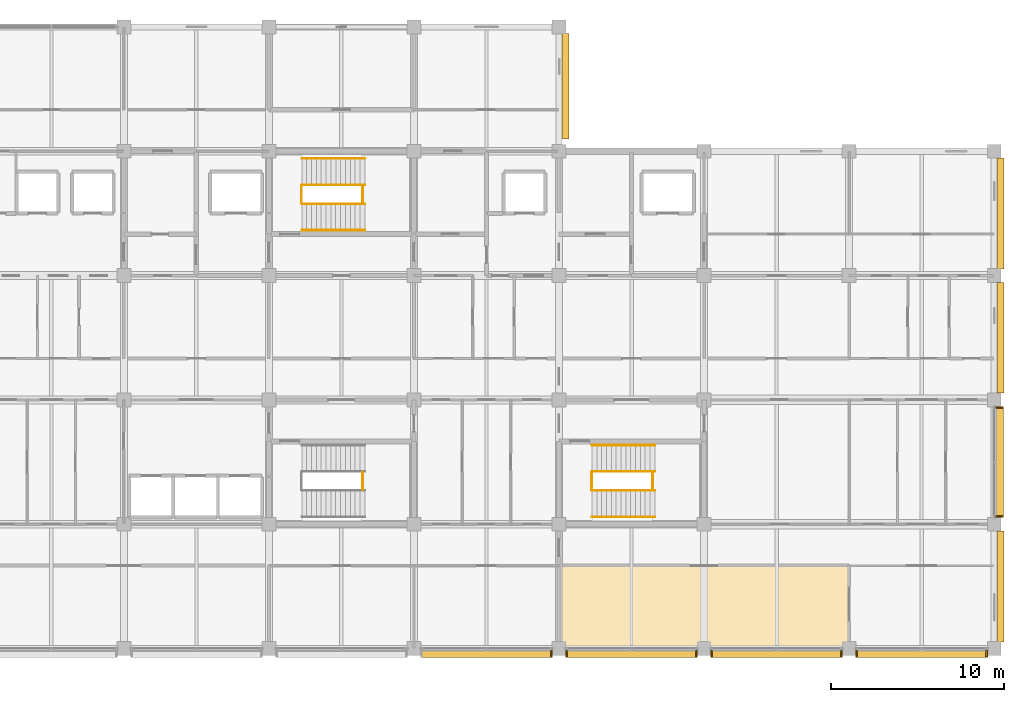
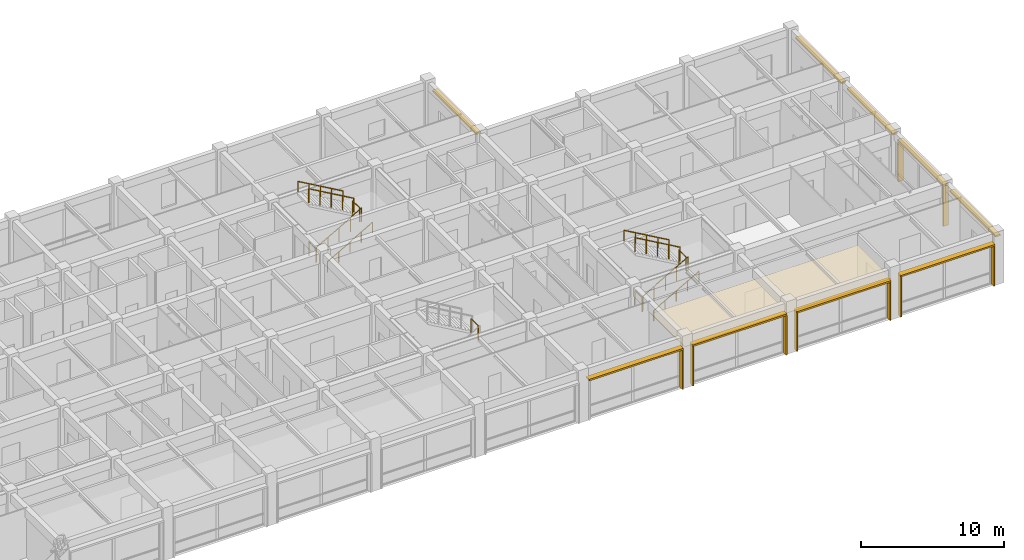
# One storey, part 30 of 30: 18 shading devices, 13 railings, 1 covering.
"""IFC4 building model written with IfcOpenShell, lengths in metres."""

from ifc_helpers import new_model, si_unit, direction, frame, origin, origin_2d, place, context, subcontext, project, spatial, polyline, rectangle, circle, outline, extrude, material, layer, layer_set, type_object, element, save


model = new_model("IFC4")

# Units and contexts
model_context = context("Model", 3, precision=1e-05, world=origin(), true_north=direction((0.0, 1.0)))
body_context = subcontext(model_context, "Body", "Model", "MODEL_VIEW")
ifc_project = project(units=[si_unit("LENGTHUNIT", "METRE"), si_unit("AREAUNIT", "SQUARE_METRE"), si_unit("VOLUMEUNIT", "CUBIC_METRE"), si_unit("PLANEANGLEUNIT", "RADIAN"), si_unit("MASSUNIT", "GRAM", prefix="KILO")], contexts=[model_context])

# Site, building, storey
site_placement = place(None, origin())
site = spatial("IfcSite", under=ifc_project, at=site_placement, CompositionType="ELEMENT")
building_placement = place(site_placement, origin())
building = spatial("IfcBuilding", under=site, at=building_placement, Name="Chengyuan Square Courthouse", CompositionType="ELEMENT")
storey_placement = place(building_placement, frame((0.0, 0.0, 30.60009765625)))
storey = spatial("IfcBuildingStorey", under=building, at=storey_placement, Name="L07", CompositionType="ELEMENT", Elevation=30.60009765625)

# Covering
ifc_material_1 = material(Name="Perforated Larch Glulam Acoustic Slat Ceiling", Category="wood")
ifc_layer = layer(ifc_material_1, 0.044921875)
ifc_layer_set = layer_set([ifc_layer], Name="Perforated Larch Glulam Acoustic Slat Ceiling")
covering_type = type_object("IfcCoveringType", Name="CLG-01", PredefinedType="CEILING", material=ifc_layer_set)
covering_placement = place(storey_placement, frame((0.0, 0.0, 3.139892578125)))
element("IfcCovering", 1, at=covering_placement, inside=storey, type_object=covering_type, Name="Acoustic Timber Slat Ceiling CLG-L07-CRT-M2", PredefinedType="CEILING", context=body_context, shape_type="SweptSolid", body=[
    extrude(outline(polyline([(117.64990234375, 79.25), (134.35009765625, 79.25), (134.35009765625, 83.949951171875), (117.64990234375, 83.949951171875), (117.64990234375, 79.25)])), origin(), (0.0, 0.0, 1.0), 0.044921875),
])

# Railings
ifc_material_2 = material(Name="Tempered Glass and Timber Top-Rail Balustrade", Category="wood")
railing_type_1 = type_object("IfcRailingType", Name="RL-02", PredefinedType="BALUSTRADE", material=ifc_material_2)
for number, where, name in (
    (2, (102.68994140625, 105.0, 0.0), "Stair Floor Slot Guard ST-2 L07"),
    (3, (106.22998046875, 105.0, 2.25), "Stair Landing Guard ST-2-L07"),
):
    element("IfcRailing", number, at=place(storey_placement, frame(where)), inside=storey, type_object=railing_type_1, Name=name, PredefinedType="BALUSTRADE", context=body_context, shape_type="SweptSolid", body=[
        extrude(circle(Radius=0.02392578125, at=origin_2d()), frame((0.0, 0.0, 1.17578125), z_axis=(0.0, 1.0, 0.0), x_axis=(-1.0, 0.0, 0.0)), (0.0, 0.0, 1.0), 1.0),
        extrude(circle(Radius=0.02099609375, at=origin_2d()), origin(), (0.0, 0.0, 1.0), 1.15185546875),
        extrude(circle(Radius=0.02099609375, at=origin_2d()), frame((0.0, 1.0, 0.0)), (0.0, 0.0, 1.0), 1.15185546875),
    ])
railing_1_placement = place(storey_placement, frame((102.7099609375, 104.949951171875, 0.16064453125)))
element("IfcRailing", 4, at=railing_1_placement, inside=storey, type_object=railing_type_1, Name="Stair Flight 1 Guard ST-2-L07", PredefinedType="BALUSTRADE", context=body_context, shape_type="SweptSolid", body=[
    extrude(circle(Radius=0.02392578125, at=origin_2d()), frame((0.0, 0.0, 1.17578125), z_axis=(0.867289372828, 0.0, 0.497804322781), x_axis=(0.0, 1.0, 0.0)), (0.0, 0.0, 1.0), 4.197021484375),
    extrude(circle(Radius=0.02099609375, at=origin_2d()), origin(), (0.0, 0.0, 1.0), 1.15185546875),
    extrude(circle(Radius=0.02099609375, at=origin_2d()), frame((0.91015625, 0.0, 0.5224609375)), (0.0, 0.0, 1.0), 1.15185546875),
    extrude(circle(Radius=0.02099609375, at=origin_2d()), frame((1.820068359375, 0.0, 1.044677734375)), (0.0, 0.0, 1.0), 1.15185546875),
    extrude(circle(Radius=0.02099609375, at=origin_2d()), frame((2.72998046875, 0.0, 1.56689453125)), (0.0, 0.0, 1.0), 1.15185546875),
    extrude(circle(Radius=0.02099609375, at=origin_2d()), frame((3.64013671875, 0.0, 2.08935546875)), (0.0, 0.0, 1.0), 1.15185546875),
])
railing_2_placement = place(storey_placement, frame((106.35009765625, 106.050048828125, 2.41064453125)))
element("IfcRailing", 5, at=railing_2_placement, inside=storey, type_object=railing_type_1, Name="Stair Flight 2 Guard ST-2-L07", PredefinedType="BALUSTRADE", context=body_context, shape_type="SweptSolid", body=[
    extrude(circle(Radius=0.02392578125, at=origin_2d()), frame((0.0, 0.0, 1.17578125), z_axis=(-0.867289372828, 0.0, 0.497804322781), x_axis=(0.0, -1.0, 0.0)), (0.0, 0.0, 1.0), 4.197021484375),
    extrude(circle(Radius=0.02099609375, at=origin_2d()), origin(), (0.0, 0.0, 1.0), 1.15185546875),
    extrude(circle(Radius=0.02099609375, at=origin_2d()), frame((-0.91015625, 0.0, 0.5224609375)), (0.0, 0.0, 1.0), 1.15185546875),
    extrude(circle(Radius=0.02099609375, at=origin_2d()), frame((-1.820068359375, 0.0, 1.044677734375)), (0.0, 0.0, 1.0), 1.15185546875),
    extrude(circle(Radius=0.02099609375, at=origin_2d()), frame((-2.72998046875, 0.0, 1.56689453125)), (0.0, 0.0, 1.0), 1.15185546875),
    extrude(circle(Radius=0.02099609375, at=origin_2d()), frame((-3.64013671875, 0.0, 2.08935546875)), (0.0, 0.0, 1.0), 1.15185546875),
])
for number, where, name in (
    (6, (106.22998046875, 88.39990234375, 2.25), "Stair Landing Guard ST-4-L07"),
    (7, (119.489990234375, 88.39990234375, 0.0), "Stair Floor Slot Guard ST-6 L07"),
    (8, (123.030029296875, 88.39990234375, 2.25), "Stair Landing Guard ST-6-L07"),
):
    element("IfcRailing", number, at=place(storey_placement, frame(where)), inside=storey, type_object=railing_type_1, Name=name, PredefinedType="BALUSTRADE", context=body_context, shape_type="SweptSolid", body=[
        extrude(circle(Radius=0.02392578125, at=origin_2d()), frame((0.0, 0.0, 1.17578125), z_axis=(0.0, 1.0, 0.0), x_axis=(-1.0, 0.0, 0.0)), (0.0, 0.0, 1.0), 1.0),
        extrude(circle(Radius=0.02099609375, at=origin_2d()), origin(), (0.0, 0.0, 1.0), 1.15185546875),
        extrude(circle(Radius=0.02099609375, at=origin_2d()), frame((0.0, 1.0, 0.0)), (0.0, 0.0, 1.0), 1.15185546875),
    ])
railing_3_placement = place(storey_placement, frame((119.510009765625, 88.35009765625, 0.16064453125)))
element("IfcRailing", 9, at=railing_3_placement, inside=storey, type_object=railing_type_1, Name="Stair Flight 1 Guard ST-6-L07", PredefinedType="BALUSTRADE", context=body_context, shape_type="SweptSolid", body=[
    extrude(circle(Radius=0.02392578125, at=origin_2d()), frame((0.0, 0.0, 1.17578125), z_axis=(0.8672749571, 0.0, 0.497829437445), x_axis=(0.0, 1.0, 0.0)), (0.0, 0.0, 1.0), 4.197021484375),
    extrude(circle(Radius=0.02099609375, at=origin_2d()), origin(), (0.0, 0.0, 1.0), 1.15185546875),
    extrude(circle(Radius=0.02099609375, at=origin_2d()), frame((0.909912109375, 0.0, 0.5224609375)), (0.0, 0.0, 1.0), 1.15185546875),
    extrude(circle(Radius=0.02099609375, at=origin_2d()), frame((1.81982421875, 0.0, 1.044677734375)), (0.0, 0.0, 1.0), 1.15185546875),
    extrude(circle(Radius=0.02099609375, at=origin_2d()), frame((2.72998046875, 0.0, 1.56689453125)), (0.0, 0.0, 1.0), 1.15185546875),
    extrude(circle(Radius=0.02099609375, at=origin_2d()), frame((3.639892578125, 0.0, 2.08935546875)), (0.0, 0.0, 1.0), 1.15185546875),
])
railing_4_placement = place(storey_placement, frame((123.14990234375, 89.449951171875, 2.41064453125)))
element("IfcRailing", 10, at=railing_4_placement, inside=storey, type_object=railing_type_1, Name="Stair Flight 2 Guard ST-6-L07", PredefinedType="BALUSTRADE", context=body_context, shape_type="SweptSolid", body=[
    extrude(circle(Radius=0.02392578125, at=origin_2d()), frame((0.0, 0.0, 1.17578125), z_axis=(-0.8672749571, 0.0, 0.497829437445), x_axis=(0.0, -1.0, 0.0)), (0.0, 0.0, 1.0), 4.197021484375),
    extrude(circle(Radius=0.02099609375, at=origin_2d()), origin(), (0.0, 0.0, 1.0), 1.15185546875),
    extrude(circle(Radius=0.02099609375, at=origin_2d()), frame((-0.909912109375, 0.0, 0.5224609375)), (0.0, 0.0, 1.0), 1.15185546875),
    extrude(circle(Radius=0.02099609375, at=origin_2d()), frame((-1.81982421875, 0.0, 1.044677734375)), (0.0, 0.0, 1.0), 1.15185546875),
    extrude(circle(Radius=0.02099609375, at=origin_2d()), frame((-2.72998046875, 0.0, 1.56689453125)), (0.0, 0.0, 1.0), 1.15185546875),
    extrude(circle(Radius=0.02099609375, at=origin_2d()), frame((-3.639892578125, 0.0, 2.08935546875)), (0.0, 0.0, 1.0), 1.15185546875),
])
ifc_material_3 = material(Name="Stainless Steel S30408 Stair Handrail", Category="steel")
railing_type_2 = type_object("IfcRailingType", Name="RL-04", PredefinedType="HANDRAIL", material=ifc_material_3)
railing_5_placement = place(storey_placement, frame((102.7099609375, 103.419921875, 0.16064453125)))
element("IfcRailing", 11, at=railing_5_placement, inside=storey, type_object=railing_type_2, Name="Stair Flight 1 Handrail ST-2-L07", PredefinedType="HANDRAIL", context=body_context, shape_type="SweptSolid", body=[
    extrude(circle(Radius=0.02392578125, at=origin_2d()), frame((0.0, 0.0, 0.8759765625), z_axis=(0.867289372828, 0.0, 0.497804322781), x_axis=(0.0, 1.0, 0.0)), (0.0, 0.0, 1.0), 4.197021484375),
    extrude(circle(Radius=0.02099609375, at=origin_2d()), origin(), (0.0, 0.0, 1.0), 0.851806640625),
    extrude(circle(Radius=0.02099609375, at=origin_2d()), frame((0.91015625, 0.0, 0.5224609375)), (0.0, 0.0, 1.0), 0.851806640625),
    extrude(circle(Radius=0.02099609375, at=origin_2d()), frame((1.820068359375, 0.0, 1.044677734375)), (0.0, 0.0, 1.0), 0.851806640625),
    extrude(circle(Radius=0.02099609375, at=origin_2d()), frame((2.72998046875, 0.0, 1.56689453125)), (0.0, 0.0, 1.0), 0.851806640625),
    extrude(circle(Radius=0.02099609375, at=origin_2d()), frame((3.64013671875, 0.0, 2.08935546875)), (0.0, 0.0, 1.0), 0.851806640625),
])
railing_6_placement = place(storey_placement, frame((106.35009765625, 107.580078125, 2.41064453125)))
element("IfcRailing", 12, at=railing_6_placement, inside=storey, type_object=railing_type_2, Name="Stair Flight 2 Handrail ST-2-L07", PredefinedType="HANDRAIL", context=body_context, shape_type="SweptSolid", body=[
    extrude(circle(Radius=0.02392578125, at=origin_2d()), frame((0.0, 0.0, 0.8759765625), z_axis=(-0.867289372828, 0.0, 0.497804322781), x_axis=(0.0, -1.0, 0.0)), (0.0, 0.0, 1.0), 4.197021484375),
    extrude(circle(Radius=0.02099609375, at=origin_2d()), origin(), (0.0, 0.0, 1.0), 0.851806640625),
    extrude(circle(Radius=0.02099609375, at=origin_2d()), frame((-0.91015625, 0.0, 0.5224609375)), (0.0, 0.0, 1.0), 0.851806640625),
    extrude(circle(Radius=0.02099609375, at=origin_2d()), frame((-1.820068359375, 0.0, 1.044677734375)), (0.0, 0.0, 1.0), 0.851806640625),
    extrude(circle(Radius=0.02099609375, at=origin_2d()), frame((-2.72998046875, 0.0, 1.56689453125)), (0.0, 0.0, 1.0), 0.851806640625),
    extrude(circle(Radius=0.02099609375, at=origin_2d()), frame((-3.64013671875, 0.0, 2.08935546875)), (0.0, 0.0, 1.0), 0.851806640625),
])
railing_7_placement = place(storey_placement, frame((119.510009765625, 86.820068359375, 0.16064453125)))
element("IfcRailing", 13, at=railing_7_placement, inside=storey, type_object=railing_type_2, Name="Stair Flight 1 Handrail ST-6-L07", PredefinedType="HANDRAIL", context=body_context, shape_type="SweptSolid", body=[
    extrude(circle(Radius=0.02392578125, at=origin_2d()), frame((0.0, 0.0, 0.8759765625), z_axis=(0.8672749571, 0.0, 0.497829437445), x_axis=(0.0, 1.0, 0.0)), (0.0, 0.0, 1.0), 4.197021484375),
    extrude(circle(Radius=0.02099609375, at=origin_2d()), origin(), (0.0, 0.0, 1.0), 0.851806640625),
    extrude(circle(Radius=0.02099609375, at=origin_2d()), frame((0.909912109375, 0.0, 0.5224609375)), (0.0, 0.0, 1.0), 0.851806640625),
    extrude(circle(Radius=0.02099609375, at=origin_2d()), frame((1.81982421875, 0.0, 1.044677734375)), (0.0, 0.0, 1.0), 0.851806640625),
    extrude(circle(Radius=0.02099609375, at=origin_2d()), frame((2.72998046875, 0.0, 1.56689453125)), (0.0, 0.0, 1.0), 0.851806640625),
    extrude(circle(Radius=0.02099609375, at=origin_2d()), frame((3.639892578125, 0.0, 2.08935546875)), (0.0, 0.0, 1.0), 0.851806640625),
])
railing_8_placement = place(storey_placement, frame((123.14990234375, 90.97998046875, 2.41064453125)))
element("IfcRailing", 14, at=railing_8_placement, inside=storey, type_object=railing_type_2, Name="Stair Flight 2 Handrail ST-6-L07", PredefinedType="HANDRAIL", context=body_context, shape_type="SweptSolid", body=[
    extrude(circle(Radius=0.02392578125, at=origin_2d()), frame((0.0, 0.0, 0.8759765625), z_axis=(-0.8672749571, 0.0, 0.497829437445), x_axis=(0.0, -1.0, 0.0)), (0.0, 0.0, 1.0), 4.197021484375),
    extrude(circle(Radius=0.02099609375, at=origin_2d()), origin(), (0.0, 0.0, 1.0), 0.851806640625),
    extrude(circle(Radius=0.02099609375, at=origin_2d()), frame((-0.909912109375, 0.0, 0.5224609375)), (0.0, 0.0, 1.0), 0.851806640625),
    extrude(circle(Radius=0.02099609375, at=origin_2d()), frame((-1.81982421875, 0.0, 1.044677734375)), (0.0, 0.0, 1.0), 0.851806640625),
    extrude(circle(Radius=0.02099609375, at=origin_2d()), frame((-2.72998046875, 0.0, 1.56689453125)), (0.0, 0.0, 1.0), 0.851806640625),
    extrude(circle(Radius=0.02099609375, at=origin_2d()), frame((-3.639892578125, 0.0, 2.08935546875)), (0.0, 0.0, 1.0), 0.851806640625),
])

# Shading devices
ifc_material_4 = material(Name="Glulam TCt28 Solar Shading Fin", Category="wood")
shading_device_type_1 = type_object("IfcShadingDeviceType", Name="SHD-01", PredefinedType="JALOUSIE", material=ifc_material_4)
for number, where, z_axis, x_axis, name in (
    (15, (117.1650390625, 78.89794921875, 0.0400390625), (0.0, 0.0, 1.0), (0.0, 1.0, 0.0), "Glulam Solar Fin SHD-L07-0667"),
    (16, (118.034912109375, 78.89794921875, 0.0400390625), (0.0, 0.0, 1.0), (0.0, 1.0, 0.0), "Glulam Solar Fin SHD-L07-0670"),
    (17, (125.56494140625, 78.89794921875, 0.0400390625), (0.0, 0.0, 1.0), (0.0, 1.0, 0.0), "Glulam Solar Fin SHD-L07-0671"),
):
    element("IfcShadingDevice", number, at=place(storey_placement, frame(where, z_axis=z_axis, x_axis=x_axis)), inside=storey, type_object=shading_device_type_1, Name=name, PredefinedType="JALOUSIE", context=body_context, shape_type="SweptSolid", body=[
        extrude(rectangle(XDim=0.419921875, YDim=0.094970703125, at=origin_2d()), origin(), (0.0, 0.0, 1.0), 3.3798828125),
    ])
for number, where, z_axis, x_axis, name in (
    (18, (126.43505859375, 78.89794921875, 0.039794921875), (0.0, 0.0, 1.0), (0.0, 1.0, 0.0), "Glulam Solar Fin SHD-L07-0673"),
    (19, (133.965087890625, 78.89794921875, 0.039794921875), (0.0, 0.0, 1.0), (0.0, 1.0, 0.0), "Glulam Solar Fin SHD-L07-0674"),
):
    element("IfcShadingDevice", number, at=place(storey_placement, frame(where, z_axis=z_axis, x_axis=x_axis)), inside=storey, type_object=shading_device_type_1, Name=name, PredefinedType="JALOUSIE", context=body_context, shape_type="SweptSolid", body=[
        extrude(rectangle(XDim=0.419921875, YDim=0.094970703125, at=origin_2d()), origin(), (0.0, 0.0, 1.0), 3.2900390625),
    ])
for number, where, z_axis, x_axis, name in (
    (20, (134.8349609375, 78.89794921875, 0.0400390625), (0.0, 0.0, 1.0), (0.0, 1.0, 0.0), "Glulam Solar Fin SHD-L07-0676"),
    (21, (142.364990234375, 78.89794921875, 0.0400390625), (0.0, 0.0, 1.0), (0.0, 1.0, 0.0), "Glulam Solar Fin SHD-L07-0677"),
    (22, (143.112060546875, 86.840087890625, 0.0400390625), (0.0, 0.0, 1.0), (1.0, 0.0, 0.0), "Glulam Solar Fin SHD-L07-0680"),
    (23, (143.112060546875, 93.159912109375, 0.0400390625), (0.0, 0.0, 1.0), (1.0, 0.0, 0.0), "Glulam Solar Fin SHD-L07-0681"),
):
    element("IfcShadingDevice", number, at=place(storey_placement, frame(where, z_axis=z_axis, x_axis=x_axis)), inside=storey, type_object=shading_device_type_1, Name=name, PredefinedType="JALOUSIE", context=body_context, shape_type="SweptSolid", body=[
        extrude(rectangle(XDim=0.419921875, YDim=0.094970703125, at=origin_2d()), origin(), (0.0, 0.0, 1.0), 3.43994140625),
    ])
ifc_material_5 = material(Name="Glulam TCt28 Sunshade Louvre", Category="wood")
shading_device_type_2 = type_object("IfcShadingDeviceType", Name="SHD-02", PredefinedType="AWNING", material=ifc_material_5)
for number, where, z_axis, x_axis, name in (
    (24, (113.39990234375, 78.89794921875, 3.419921875), (0.0, 0.0, 1.0), (1.0, 0.0, 0.0), "Glulam Sunshade Louvre SHD-L07-0668"),
    (25, (121.800048828125, 78.89794921875, 3.419921875), (0.0, 0.0, 1.0), (1.0, 0.0, 0.0), "Glulam Sunshade Louvre SHD-L07-0672"),
    (26, (130.199951171875, 78.89794921875, 3.330078125), (0.0, 0.0, 1.0), (1.0, 0.0, 0.0), "Glulam Sunshade Louvre SHD-L07-0675"),
    (27, (138.60009765625, 78.89794921875, 3.47998046875), (0.0, 0.0, 1.0), (1.0, 0.0, 0.0), "Glulam Sunshade Louvre SHD-L07-0678"),
):
    element("IfcShadingDevice", number, at=place(storey_placement, frame(where, z_axis=z_axis, x_axis=x_axis)), inside=storey, type_object=shading_device_type_2, Name=name, PredefinedType="AWNING", context=body_context, shape_type="SweptSolid", body=[
        extrude(rectangle(XDim=7.60009765625, YDim=0.43994140625, at=origin_2d()), origin(), (0.0, 0.0, 1.0), 0.139892578125),
    ])
shading_device_1_placement = place(storey_placement, frame((143.112060546875, 90.0, 3.47998046875), z_axis=(0.0, 0.0, 1.0), x_axis=(0.0, 1.0, 0.0)))
element("IfcShadingDevice", 28, at=shading_device_1_placement, inside=storey, type_object=shading_device_type_2, Name="Glulam Sunshade Louvre SHD-L07-0682", PredefinedType="AWNING", context=body_context, shape_type="SweptSolid", body=[
    extrude(rectangle(XDim=6.39990234375, YDim=0.43994140625, at=origin_2d()), origin(), (0.0, 0.0, 1.0), 0.139892578125),
])
ifc_material_6 = material(Name="Glulam TCt28 Facade Sunshade", Category="wood")
shading_device_type_3 = type_object("IfcShadingDeviceType", Name="SHD-03", PredefinedType="AWNING", material=ifc_material_6)
shading_device_2_placement = place(storey_placement, frame((117.967041015625, 111.75, 3.39990234375), z_axis=(0.0, 0.0, 1.0), x_axis=(0.0, 1.0, 0.0)))
element("IfcShadingDevice", 29, at=shading_device_2_placement, inside=storey, type_object=shading_device_type_3, Name="Glulam Facade Sunshade SHD-L07-0669", PredefinedType="AWNING", context=body_context, shape_type="SweptSolid", body=[
    extrude(rectangle(XDim=6.110107421875, YDim=0.39990234375, at=origin_2d()), origin(), (0.0, 0.0, 1.0), 0.139892578125),
])
for number, where, z_axis, x_axis, name in (
    (30, (143.1669921875, 82.800048828125, 3.4599609375), (0.0, 0.0, 1.0), (0.0, 1.0, 0.0), "Glulam Facade Sunshade SHD-L07-0679"),
    (31, (143.1669921875, 97.199951171875, 3.4599609375), (0.0, 0.0, 1.0), (0.0, 1.0, 0.0), "Glulam Facade Sunshade SHD-L07-0683"),
    (32, (143.1669921875, 104.39990234375, 3.4599609375), (0.0, 0.0, 1.0), (0.0, 1.0, 0.0), "Glulam Facade Sunshade SHD-L07-0684"),
):
    element("IfcShadingDevice", number, at=place(storey_placement, frame(where, z_axis=z_axis, x_axis=x_axis)), inside=storey, type_object=shading_device_type_3, Name=name, PredefinedType="AWNING", context=body_context, shape_type="SweptSolid", body=[
        extrude(rectangle(XDim=6.409912109375, YDim=0.39990234375, at=origin_2d()), origin(), (0.0, 0.0, 1.0), 0.139892578125),
    ])

save(model, "model.ifc")
